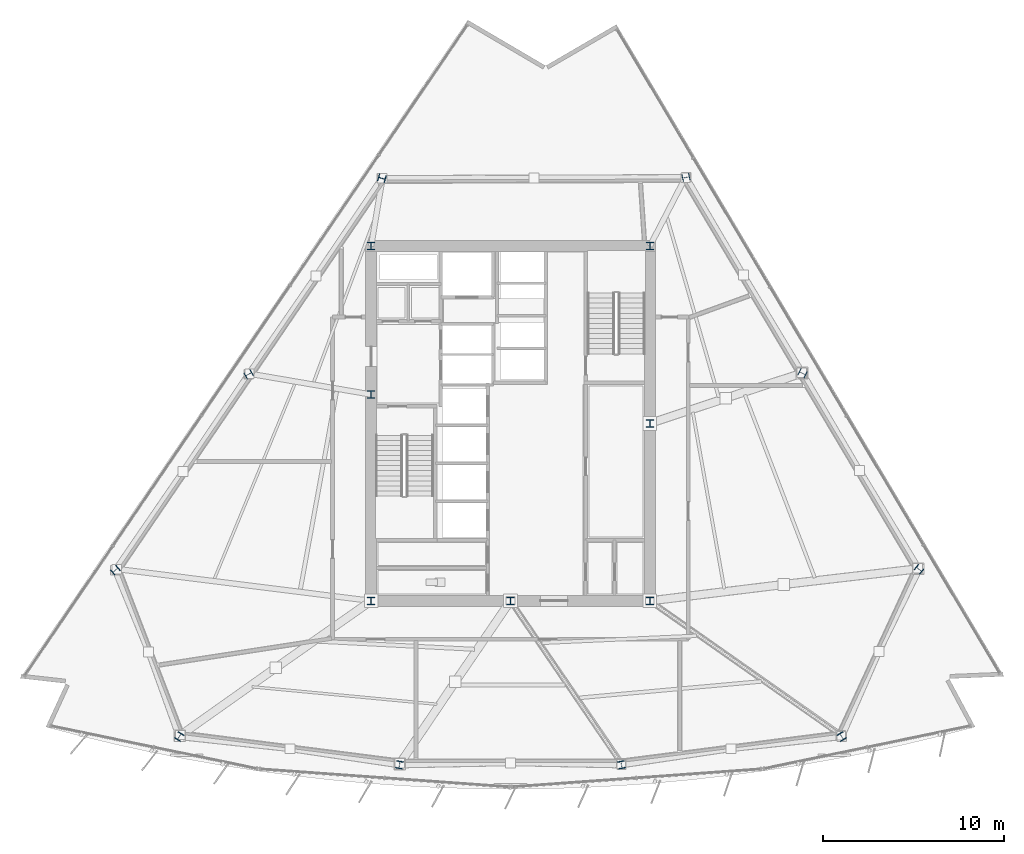
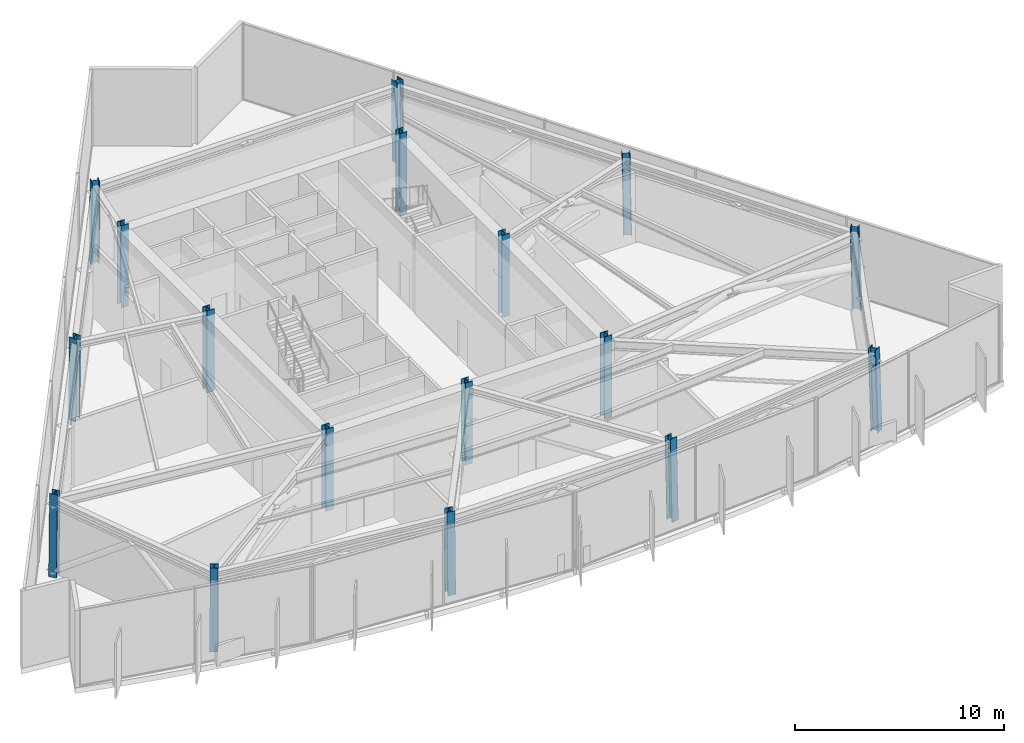
# One storey, part 1 of 14: 17 columns.
"""IFC4 building model written with IfcOpenShell, lengths in metres."""

from ifc_helpers import new_model, si_unit, direction, frame, origin, origin_2d, place, context, subcontext, project, spatial, i_section, extrude, material, material_profile, profile_set, type_object, element, save


model = new_model("IFC4")

# Units and contexts
model_context = context("Model", 3, precision=1e-05, world=origin(), true_north=direction((0.0, 1.0)))
body_context = subcontext(model_context, "Body", "Model", "MODEL_VIEW")
ifc_project = project(units=[si_unit("LENGTHUNIT", "METRE"), si_unit("AREAUNIT", "SQUARE_METRE"), si_unit("VOLUMEUNIT", "CUBIC_METRE"), si_unit("PLANEANGLEUNIT", "RADIAN"), si_unit("MASSUNIT", "GRAM", prefix="KILO")], contexts=[model_context])

# Site, building, storey
site_placement = place(None, origin())
site = spatial("IfcSite", under=ifc_project, at=site_placement, CompositionType="ELEMENT")
building_placement = place(site_placement, origin())
building = spatial("IfcBuilding", under=site, at=building_placement, Name="Savorim Split Tower", CompositionType="ELEMENT")
storey_placement = place(building_placement, frame((0.0, 0.0, 129.300048828125)))
storey = spatial("IfcBuildingStorey", under=building, at=storey_placement, Name="L34", CompositionType="ELEMENT", Elevation=129.300048828125)

# Columns
ifc_material = material(Name="Steel S460", Category="steel")
ifc_material_profile_1 = material_profile(ifc_material, i_section(OverallWidth=0.404052734375, OverallDepth=0.406982421875, WebThickness=0.017333984375, FlangeThickness=0.028076171875, FilletRadius=0.014892578125, at=origin_2d()), Name="HD 400x347")
ifc_profile_set_1 = profile_set([ifc_material_profile_1], Name="Steel S460")
column_type_1 = type_object("IfcColumnType", Name="COL-HD-347", PredefinedType="COLUMN", material=ifc_profile_set_1)
column_1_placement = place(storey_placement, frame((-18.304931640625, -16.91259765625, 0.00537109375), z_axis=(0.015439857484, 0.025121616302, 0.999565163056), x_axis=(-0.851954850327, 0.523615252838, 0.0)))
element("IfcColumn", 1, at=column_1_placement, inside=storey, type_object=column_type_1, Name="L34 Tapered Perimeter Column PC-S1", PredefinedType="COLUMN", context=body_context, shape_type="SweptSolid", body=[
    extrude(i_section(OverallWidth=0.404052734375, OverallDepth=0.406982421875, WebThickness=0.017333984375, FlangeThickness=0.028076171875, FilletRadius=0.014892578125, at=origin_2d()), origin(), (0.0, 0.0, 1.0), 4.791259765625),
])
for number, where, z_axis, x_axis, name in (
    (2, (-6.135009765625, -18.47509765625, 0.00537109375), (0.005197947592, 0.026448380393, 0.999636666252), (-0.981229659911, 0.192842823335, 0.0), "L34 Tapered Perimeter Column PC-S2"),
    (3, (6.135009765625, -18.47509765625, 0.00537109375), (-0.005197947592, 0.026448380393, 0.999636666252), (-0.981229659911, -0.192842823335, 0.0), "L34 Tapered Perimeter Column PC-S3"),
):
    element("IfcColumn", number, at=place(storey_placement, frame(where, z_axis=z_axis, x_axis=x_axis)), inside=storey, type_object=column_type_1, Name=name, PredefinedType="COLUMN", context=body_context, shape_type="SweptSolid", body=[
        extrude(i_section(OverallWidth=0.404052734375, OverallDepth=0.406982421875, WebThickness=0.017333984375, FlangeThickness=0.028076171875, FilletRadius=0.014892578125, at=origin_2d()), origin(), (0.0, 0.0, 1.0), 4.790771484375),
    ])
column_2_placement = place(storey_placement, frame((18.304931640625, -16.91259765625, 0.00537109375), z_axis=(-0.015439857484, 0.025121616302, 0.999565163056), x_axis=(-0.851954850327, -0.523615252838, 0.0)))
element("IfcColumn", 4, at=column_2_placement, inside=storey, type_object=column_type_1, Name="L34 Tapered Perimeter Column PC-S4", PredefinedType="COLUMN", context=body_context, shape_type="SweptSolid", body=[
    extrude(i_section(OverallWidth=0.404052734375, OverallDepth=0.406982421875, WebThickness=0.017333984375, FlangeThickness=0.028076171875, FilletRadius=0.014892578125, at=origin_2d()), origin(), (0.0, 0.0, 1.0), 4.791259765625),
])
column_3_placement = place(storey_placement, frame((22.581787109375, -7.665771484375, 0.00537109375), z_axis=(-0.019569536318, 0.016206022264, 0.999677146928), x_axis=(-0.637813971185, -0.770190455771, 0.0)))
element("IfcColumn", 5, at=column_3_placement, inside=storey, type_object=column_type_1, Name="L34 Tapered Perimeter Column PC-E1", PredefinedType="COLUMN", context=body_context, shape_type="SweptSolid", body=[
    extrude(i_section(OverallWidth=0.404052734375, OverallDepth=0.406982421875, WebThickness=0.017333984375, FlangeThickness=0.028076171875, FilletRadius=0.014892578125, at=origin_2d()), origin(), (0.0, 0.0, 1.0), 4.79052734375),
])
column_4_placement = place(storey_placement, frame((16.14208984375, 3.1640625, 0.00537109375), z_axis=(-0.014170315402, 0.007187102416, 0.999873765893), x_axis=(-0.452339157861, -0.891845999187, 0.0)))
element("IfcColumn", 6, at=column_4_placement, inside=storey, type_object=column_type_1, Name="L34 Tapered Perimeter Column PC-E2", PredefinedType="COLUMN", context=body_context, shape_type="SweptSolid", body=[
    extrude(i_section(OverallWidth=0.404052734375, OverallDepth=0.406982421875, WebThickness=0.017333984375, FlangeThickness=0.028076171875, FilletRadius=0.014892578125, at=origin_2d()), origin(), (0.0, 0.0, 1.0), 4.78955078125),
])
column_5_placement = place(storey_placement, frame((9.702392578125, 13.994140625, 0.00537109375), z_axis=(-0.008767998861, -0.001937116027, 0.999959684076), x_axis=(0.215728093413, -0.976453475447, 0.0)))
element("IfcColumn", 7, at=column_5_placement, inside=storey, type_object=column_type_1, Name="L34 Tapered Perimeter Column PC-E3", PredefinedType="COLUMN", context=body_context, shape_type="SweptSolid", body=[
    extrude(i_section(OverallWidth=0.404052734375, OverallDepth=0.406982421875, WebThickness=0.017333984375, FlangeThickness=0.028076171875, FilletRadius=0.014892578125, at=origin_2d()), origin(), (0.0, 0.0, 1.0), 4.789306640625),
])
column_6_placement = place(storey_placement, frame((-7.10498046875, 13.9453125, 0.00537109375), z_axis=(0.006576109737, -0.001937148605, 0.999976500842), x_axis=(0.282568886397, 0.959247009086, 0.0)))
element("IfcColumn", 8, at=column_6_placement, inside=storey, type_object=column_type_1, Name="L34 Tapered Perimeter Column PC-W1", PredefinedType="COLUMN", context=body_context, shape_type="SweptSolid", body=[
    extrude(i_section(OverallWidth=0.404052734375, OverallDepth=0.406982421875, WebThickness=0.017333984375, FlangeThickness=0.028076171875, FilletRadius=0.014892578125, at=origin_2d()), origin(), (0.0, 0.0, 1.0), 4.7890625),
])
column_7_placement = place(storey_placement, frame((-14.472412109375, 3.115234375, 0.00537109375), z_axis=(0.012743334138, 0.007187240454, 0.999892969777), x_axis=(-0.491253415567, 0.871016694268, 0.0)))
element("IfcColumn", 9, at=column_7_placement, inside=storey, type_object=column_type_1, Name="L34 Tapered Perimeter Column PC-W2", PredefinedType="COLUMN", context=body_context, shape_type="SweptSolid", body=[
    extrude(i_section(OverallWidth=0.404052734375, OverallDepth=0.406982421875, WebThickness=0.017333984375, FlangeThickness=0.028076171875, FilletRadius=0.014892578125, at=origin_2d()), origin(), (0.0, 0.0, 1.0), 4.78955078125),
])
column_8_placement = place(storey_placement, frame((-21.83984375, -7.714599609375, 0.00537109375), z_axis=(0.018907266959, 0.016206228822, 0.999689888617), x_axis=(-0.650791373456, 0.759256602365, 0.0)))
element("IfcColumn", 10, at=column_8_placement, inside=storey, type_object=column_type_1, Name="L34 Tapered Perimeter Column PC-W3", PredefinedType="COLUMN", context=body_context, shape_type="SweptSolid", body=[
    extrude(i_section(OverallWidth=0.404052734375, OverallDepth=0.406982421875, WebThickness=0.017333984375, FlangeThickness=0.028076171875, FilletRadius=0.014892578125, at=origin_2d()), origin(), (0.0, 0.0, 1.0), 4.79052734375),
])
ifc_material_profile_2 = material_profile(ifc_material, i_section(OverallWidth=0.408935546875, OverallDepth=0.425048828125, WebThickness=0.020751953125, FlangeThickness=0.033935546875, FilletRadius=0.014892578125, at=origin_2d()), Name="HD 400x421")
ifc_profile_set_2 = profile_set([ifc_material_profile_2], Name="Steel S460")
column_type_2 = type_object("IfcColumnType", Name="COL-HD-421", PredefinedType="COLUMN", material=ifc_profile_set_2)
for number, where, z_axis, x_axis, name in (
    (11, (-7.699951171875, -9.39990234375, 0.0), (0.0, 0.0, 1.0), (1.0, 0.0, 0.0), "L34 Core Structural Column TC-C1"),
    (12, (7.699951171875, -9.39990234375, 0.0), (0.0, 0.0, 1.0), (1.0, 0.0, 0.0), "L34 Core Structural Column TC-C2"),
    (13, (7.699951171875, 10.199951171875, 0.0), (0.0, 0.0, 1.0), (1.0, 0.0, 0.0), "L34 Core Structural Column TC-C3"),
    (14, (-7.699951171875, 10.199951171875, 0.0), (0.0, 0.0, 1.0), (1.0, 0.0, 0.0), "L34 Core Structural Column TC-C4"),
    (15, (0.0, -9.39990234375, 0.0), (0.0, 0.0, 1.0), (1.0, 0.0, 0.0), "L34 Core Structural Column TC-C5"),
    (16, (7.699951171875, 0.39990234375, 0.0), (0.0, 0.0, 1.0), (1.0, 0.0, 0.0), "L34 Core Structural Column TC-C6"),
    (17, (-7.699951171875, 2.0, 0.0), (0.0, 0.0, 1.0), (1.0, 0.0, 0.0), "L34 Core Structural Column TC-C7"),
):
    element("IfcColumn", number, at=place(storey_placement, frame(where, z_axis=z_axis, x_axis=x_axis)), inside=storey, type_object=column_type_2, Name=name, PredefinedType="COLUMN", context=body_context, shape_type="SweptSolid", body=[
        extrude(i_section(OverallWidth=0.408935546875, OverallDepth=0.425048828125, WebThickness=0.020751953125, FlangeThickness=0.033935546875, FilletRadius=0.014892578125, at=origin_2d()), origin(), (0.0, 0.0, 1.0), 4.800048828125),
    ])

save(model, "model.ifc")
